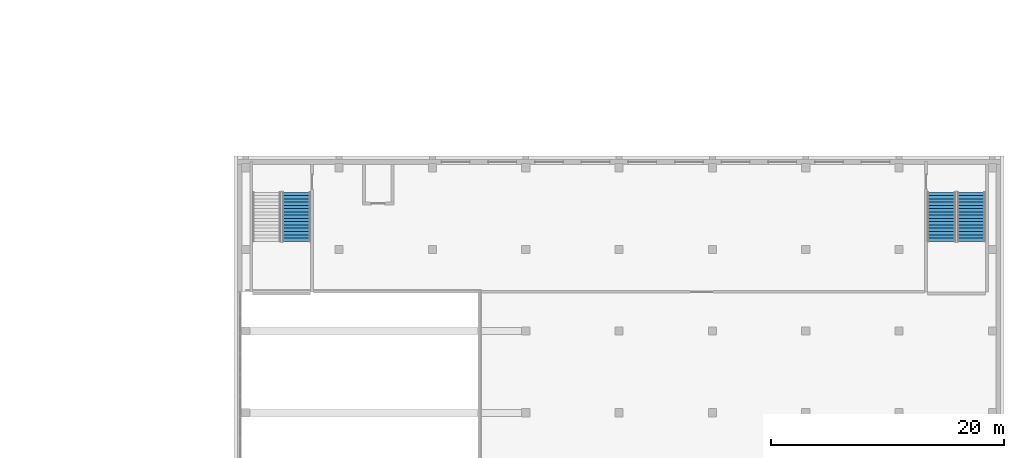
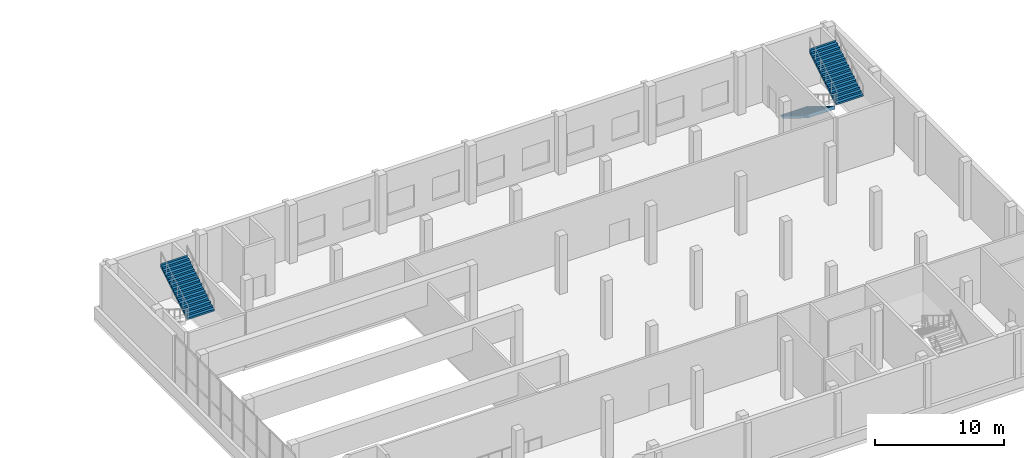
# One storey, part 23 of 35: 3 stair flights, 2 elements without a shape of their own.
"""IFC4 building model written with IfcOpenShell, lengths in metres."""

from ifc_helpers import new_model, si_unit, direction, frame, origin, place, context, subcontext, project, spatial, polyline, outline, extrude, material, type_object, element, aggregate, save


model = new_model("IFC4")

# Units and contexts
model_context = context("Model", 3, precision=1e-05, world=origin(), true_north=direction((0.0, 1.0)))
body_context = subcontext(model_context, "Body", "Model", "MODEL_VIEW")
ifc_project = project(units=[si_unit("LENGTHUNIT", "METRE"), si_unit("AREAUNIT", "SQUARE_METRE"), si_unit("VOLUMEUNIT", "CUBIC_METRE"), si_unit("PLANEANGLEUNIT", "RADIAN"), si_unit("MASSUNIT", "GRAM", prefix="KILO")], contexts=[model_context])

# Site, building, storey
site_placement = place(None, origin())
site = spatial("IfcSite", under=ifc_project, at=site_placement, CompositionType="ELEMENT")
building_placement = place(site_placement, origin())
building = spatial("IfcBuilding", under=site, at=building_placement, Name="Tamorin Gate", CompositionType="ELEMENT")
storey_placement = place(building_placement, frame((0.0, 0.0, 8.0)))
storey = spatial("IfcBuildingStorey", under=building, at=storey_placement, Name="L01", CompositionType="ELEMENT", Elevation=8.0)

# Stair, stair flight
ifc_material = material(Name="Concrete C40/50", Category="concrete")
stair_type = type_object("IfcStairType", Name="Museum exit stair 2400 C40/50", PredefinedType="HALF_TURN_STAIR", material=ifc_material)
stair_1_placement = place(storey_placement, origin())
stair_1 = element("IfcStair", 1, at=stair_1_placement, inside=storey, type_object=stair_type, Name="L01 PS6", PredefinedType="HALF_TURN_STAIR")
stair_flight_type = type_object("IfcStairFlightType", Name="Museum exit stair flight 2400 C40/50", PredefinedType="STRAIGHT", material=ifc_material)
stair_flight_1_placement = place(storey_placement, frame((150.050048828125, 91.39990234375, 2.75), z_axis=(0.0, 0.0, 1.0), x_axis=(0.0, 1.0, 0.0)))
stair_flight_1 = element("IfcStairFlight", 2, at=stair_flight_1_placement, type_object=stair_flight_type, Name="PS6 flight 2", NumberOfRisers=16, NumberOfTreads=15, PredefinedType="STRAIGHT", RiserHeight=0.171875, TreadLength=0.28, context=body_context, shape_type="SweptSolid", body=[
    extrude(outline(polyline([(-0.00048828125, 0.0), (-0.00048828125, 0.001708984375), (-0.00048828125, 0.00341796875), (-0.00048828125, 0.005126953125), (-0.00048828125, 0.0068359375), (-0.00048828125, 0.008544921875), (-0.00048828125, 0.01025390625), (-0.00048828125, 0.011962890625), (-0.00048828125, 0.013671875), (-0.00048828125, 0.015380859375), (-0.00048828125, 0.01708984375), (-0.00048828125, 0.018798828125), (-0.00048828125, 0.0205078125), (-0.00048828125, 0.022216796875), (-0.00048828125, 0.02392578125), (-0.00048828125, 0.025634765625), (-0.00048828125, 0.02734375), (-0.00048828125, 0.02880859375), (-0.00048828125, 0.030517578125), (-0.00048828125, 0.0322265625), (-0.00048828125, 0.033935546875), (-0.00048828125, 0.03564453125), (-0.00048828125, 0.037353515625), (-0.00048828125, 0.0390625), (-0.00048828125, 0.040771484375), (-0.00048828125, 0.04248046875), (-0.00048828125, 0.044189453125), (-0.00048828125, 0.0458984375), (-0.00048828125, 0.047607421875), (-0.00048828125, 0.04931640625), (-0.00048828125, 0.051025390625), (-0.00048828125, 0.052734375), (-0.00048828125, 0.054443359375), (-0.00048828125, 0.05615234375), (-0.00048828125, 0.057861328125), (-0.00048828125, 0.0595703125), (-0.00048828125, 0.061279296875), (-0.00048828125, 0.06298828125), (-0.00048828125, 0.064697265625), (-0.00048828125, 0.06640625), (-0.00048828125, 0.068115234375), (-0.00048828125, 0.06982421875), (-0.00048828125, 0.071533203125), (-0.00048828125, 0.0732421875), (-0.00048828125, 0.074951171875), (-0.00048828125, 0.07666015625), (-0.00048828125, 0.078369140625), (-0.00048828125, 0.080078125), (-0.00048828125, 0.081787109375), (-0.00048828125, 0.08349609375), (-0.00048828125, 0.085205078125), (-0.00048828125, 0.086669921875), (-0.00048828125, 0.08837890625), (-0.00048828125, 0.090087890625), (-0.00048828125, 0.091796875), (-0.00048828125, 0.093505859375), (-0.00048828125, 0.09521484375), (-0.00048828125, 0.096923828125), (-0.00048828125, 0.0986328125), (-0.00048828125, 0.100341796875), (-0.00048828125, 0.10205078125), (-0.00048828125, 0.103759765625), (-0.00048828125, 0.10546875), (-0.00048828125, 0.107177734375), (-0.00048828125, 0.10888671875), (-0.00048828125, 0.110595703125), (-0.00048828125, 0.1123046875), (-0.00048828125, 0.114013671875), (-0.00048828125, 0.11572265625), (-0.00048828125, 0.117431640625), (-0.00048828125, 0.119140625), (-0.00048828125, 0.120849609375), (-0.00048828125, 0.12255859375), (-0.00048828125, 0.124267578125), (-0.00048828125, 0.1259765625), (-0.00048828125, 0.127685546875), (-0.00048828125, 0.12939453125), (-0.00048828125, 0.131103515625), (-0.00048828125, 0.1328125), (-0.00048828125, 0.134521484375), (-0.00048828125, 0.13623046875), (-0.00048828125, 0.137939453125), (-0.00048828125, 0.1396484375), (-0.00048828125, 0.141357421875), (-0.00048828125, 0.14306640625), (-0.00048828125, 0.14453125), (-0.00048828125, 0.146240234375), (-0.00048828125, 0.14794921875), (-0.00048828125, 0.149658203125), (-0.00048828125, 0.1513671875), (-0.00048828125, 0.153076171875), (-0.00048828125, 0.15478515625), (-0.00048828125, 0.156494140625), (-0.00048828125, 0.158203125), (-0.00048828125, 0.159912109375), (-0.00048828125, 0.16162109375), (-0.00048828125, 0.163330078125), (-0.00048828125, 0.1650390625), (-0.00048828125, 0.166748046875), (-0.00048828125, 0.16845703125), (-0.00048828125, 0.170166015625), (-0.00048828125, 0.171875), (0.280029296875, 0.171875), (0.280029296875, 0.34375), (0.56005859375, 0.34375), (0.56005859375, 0.515625), (0.840087890625, 0.515625), (0.840087890625, 0.6875), (1.1201171875, 0.6875), (1.1201171875, 0.859375), (1.39990234375, 0.859375), (1.39990234375, 1.03125), (1.679931640625, 1.03125), (1.679931640625, 1.203125), (1.9599609375, 1.203125), (1.9599609375, 1.375), (2.239990234375, 1.375), (2.239990234375, 1.546875), (2.52001953125, 1.546875), (2.52001953125, 1.71875), (2.800048828125, 1.71875), (2.800048828125, 1.890625), (3.080078125, 1.890625), (3.080078125, 2.0625), (3.360107421875, 2.0625), (3.360107421875, 2.234375), (3.639892578125, 2.234375), (3.639892578125, 2.40625), (3.919921875, 2.40625), (3.919921875, 2.578125), (4.199951171875, 2.578125), (4.199951171875, 2.75), (4.200439453125, 2.75), (4.200439453125, 2.74658203125), (4.200439453125, 2.7431640625), (4.200439453125, 2.73974609375), (4.200439453125, 2.736328125), (4.200439453125, 2.732666015625), (4.200439453125, 2.729248046875), (4.200439453125, 2.725830078125), (4.200439453125, 2.722412109375), (4.200439453125, 2.718994140625), (4.200439453125, 2.715576171875), (4.200439453125, 2.712158203125), (4.200439453125, 2.708740234375), (4.200439453125, 2.705322265625), (4.200439453125, 2.701904296875), (4.200439453125, 2.6982421875), (4.200439453125, 2.69482421875), (4.200439453125, 2.69140625), (4.200439453125, 2.68798828125), (4.200439453125, 2.6845703125), (4.200439453125, 2.68115234375), (4.200439453125, 2.677734375), (4.200439453125, 2.67431640625), (4.200439453125, 2.6708984375), (4.200439453125, 2.66748046875), (4.200439453125, 2.663818359375), (4.200439453125, 2.660400390625), (4.200439453125, 2.656982421875), (4.200439453125, 2.653564453125), (4.200439453125, 2.650146484375), (4.200439453125, 2.646728515625), (4.200439453125, 2.643310546875), (4.200439453125, 2.639892578125), (4.200439453125, 2.636474609375), (4.200439453125, 2.6328125), (4.200439453125, 2.62939453125), (4.200439453125, 2.6259765625), (4.200439453125, 2.62255859375), (4.200439453125, 2.619140625), (4.200439453125, 2.61572265625), (4.200439453125, 2.6123046875), (4.200439453125, 2.60888671875), (4.200439453125, 2.60546875), (4.200439453125, 2.60205078125), (4.200439453125, 2.598388671875), (4.200439453125, 2.594970703125), (4.200439453125, 2.591552734375), (4.200439453125, 2.588134765625), (4.200439453125, 2.584716796875), (4.200439453125, 2.581298828125), (4.200439453125, 2.577880859375), (4.200439453125, 2.574462890625), (4.200439453125, 2.571044921875), (4.200439453125, 2.567626953125), (4.200439453125, 2.56396484375), (4.200439453125, 2.560546875), (4.200439453125, 2.55712890625), (4.200439453125, 2.5537109375), (4.200439453125, 2.55029296875), (4.200439453125, 2.546875), (4.200439453125, 2.54345703125), (4.200439453125, 2.5400390625), (4.200439453125, 2.53662109375), (4.200439453125, 2.532958984375), (4.200439453125, 2.529541015625), (4.200439453125, 2.526123046875), (4.200439453125, 2.522705078125), (4.200439453125, 2.519287109375), (4.200439453125, 2.515869140625), (4.200439453125, 2.512451171875), (4.200439453125, 2.509033203125), (4.200439453125, 2.505615234375), (4.200439453125, 2.502197265625), (4.200439453125, 2.49853515625), (4.200439453125, 2.4951171875), (4.200439453125, 2.49169921875), (4.200439453125, 2.48828125), (4.200439453125, 2.48486328125), (4.200439453125, 2.4814453125), (4.200439453125, 2.47802734375), (4.200439453125, 2.474609375), (4.200439453125, 2.47119140625), (4.200439453125, 2.4677734375), (4.200439453125, 2.464111328125), (4.200439453125, 2.460693359375), (4.200439453125, 2.457275390625), (4.200439453125, 2.453857421875), (4.200439453125, 2.450439453125), (4.200439453125, 2.447021484375), (4.200439453125, 2.443603515625), (4.200439453125, 2.440185546875), (4.200439453125, 2.436767578125), (4.200439453125, 2.43310546875), (4.200439453125, 2.4296875), (4.200439453125, 2.42626953125), (4.200439453125, 2.4228515625), (4.200439453125, 2.41943359375), (4.200439453125, 2.416015625), (4.200439453125, 2.41259765625), (4.200439453125, 2.4091796875), (4.200439453125, 2.40576171875), (4.200439453125, 2.40234375), (4.199951171875, 2.40234375), (0.28662109375, 0.0), (-0.00048828125, 0.0)])), frame((0.0, 1.199951171875, 0.0), z_axis=(0.0, -1.0, 0.0), x_axis=(1.0, 0.0, 0.0)), (0.0, 0.0, 1.0), 2.39990234375),
])
aggregate(stair_1, [stair_flight_1])

# Stair, stair flights
stair_2_placement = place(storey_placement, origin())
stair_2 = element("IfcStair", 3, at=stair_2_placement, inside=storey, type_object=stair_type, Name="L01 PS9", PredefinedType="HALF_TURN_STAIR")
stair_flight_2_placement = place(storey_placement, frame((205.35009765625, 95.60009765625, 0.0), z_axis=(0.0, 0.0, 1.0), x_axis=(0.0, -1.0, 0.0)))
stair_flight_2 = element("IfcStairFlight", 4, at=stair_flight_2_placement, type_object=stair_flight_type, Name="PS9 flight 1", NumberOfRisers=16, NumberOfTreads=15, PredefinedType="STRAIGHT", RiserHeight=0.171875, TreadLength=0.28, context=body_context, shape_type="SweptSolid", body=[
    extrude(outline(polyline([(-0.00048828125, 0.0), (-0.00048828125, 0.001708984375), (-0.00048828125, 0.00341796875), (-0.00048828125, 0.005126953125), (-0.00048828125, 0.0068359375), (-0.00048828125, 0.008544921875), (-0.00048828125, 0.01025390625), (-0.00048828125, 0.011962890625), (-0.00048828125, 0.013671875), (-0.00048828125, 0.015380859375), (-0.00048828125, 0.01708984375), (-0.00048828125, 0.018798828125), (-0.00048828125, 0.0205078125), (-0.00048828125, 0.022216796875), (-0.00048828125, 0.02392578125), (-0.00048828125, 0.025634765625), (-0.00048828125, 0.02734375), (-0.00048828125, 0.02880859375), (-0.00048828125, 0.030517578125), (-0.00048828125, 0.0322265625), (-0.00048828125, 0.033935546875), (-0.00048828125, 0.03564453125), (-0.00048828125, 0.037353515625), (-0.00048828125, 0.0390625), (-0.00048828125, 0.040771484375), (-0.00048828125, 0.04248046875), (-0.00048828125, 0.044189453125), (-0.00048828125, 0.0458984375), (-0.00048828125, 0.047607421875), (-0.00048828125, 0.04931640625), (-0.00048828125, 0.051025390625), (-0.00048828125, 0.052734375), (-0.00048828125, 0.054443359375), (-0.00048828125, 0.05615234375), (-0.00048828125, 0.057861328125), (-0.00048828125, 0.0595703125), (-0.00048828125, 0.061279296875), (-0.00048828125, 0.06298828125), (-0.00048828125, 0.064697265625), (-0.00048828125, 0.06640625), (-0.00048828125, 0.068115234375), (-0.00048828125, 0.06982421875), (-0.00048828125, 0.071533203125), (-0.00048828125, 0.0732421875), (-0.00048828125, 0.074951171875), (-0.00048828125, 0.07666015625), (-0.00048828125, 0.078369140625), (-0.00048828125, 0.080078125), (-0.00048828125, 0.081787109375), (-0.00048828125, 0.08349609375), (-0.00048828125, 0.085205078125), (-0.00048828125, 0.086669921875), (-0.00048828125, 0.08837890625), (-0.00048828125, 0.090087890625), (-0.00048828125, 0.091796875), (-0.00048828125, 0.093505859375), (-0.00048828125, 0.09521484375), (-0.00048828125, 0.096923828125), (-0.00048828125, 0.0986328125), (-0.00048828125, 0.100341796875), (-0.00048828125, 0.10205078125), (-0.00048828125, 0.103759765625), (-0.00048828125, 0.10546875), (-0.00048828125, 0.107177734375), (-0.00048828125, 0.10888671875), (-0.00048828125, 0.110595703125), (-0.00048828125, 0.1123046875), (-0.00048828125, 0.114013671875), (-0.00048828125, 0.11572265625), (-0.00048828125, 0.117431640625), (-0.00048828125, 0.119140625), (-0.00048828125, 0.120849609375), (-0.00048828125, 0.12255859375), (-0.00048828125, 0.124267578125), (-0.00048828125, 0.1259765625), (-0.00048828125, 0.127685546875), (-0.00048828125, 0.12939453125), (-0.00048828125, 0.131103515625), (-0.00048828125, 0.1328125), (-0.00048828125, 0.134521484375), (-0.00048828125, 0.13623046875), (-0.00048828125, 0.137939453125), (-0.00048828125, 0.1396484375), (-0.00048828125, 0.141357421875), (-0.00048828125, 0.14306640625), (-0.00048828125, 0.14453125), (-0.00048828125, 0.146240234375), (-0.00048828125, 0.14794921875), (-0.00048828125, 0.149658203125), (-0.00048828125, 0.1513671875), (-0.00048828125, 0.153076171875), (-0.00048828125, 0.15478515625), (-0.00048828125, 0.156494140625), (-0.00048828125, 0.158203125), (-0.00048828125, 0.159912109375), (-0.00048828125, 0.16162109375), (-0.00048828125, 0.163330078125), (-0.00048828125, 0.1650390625), (-0.00048828125, 0.166748046875), (-0.00048828125, 0.16845703125), (-0.00048828125, 0.170166015625), (-0.00048828125, 0.171875), (0.280029296875, 0.171875), (0.280029296875, 0.34375), (0.56005859375, 0.34375), (0.56005859375, 0.515625), (0.840087890625, 0.515625), (0.840087890625, 0.6875), (1.1201171875, 0.6875), (1.1201171875, 0.859375), (1.39990234375, 0.859375), (1.39990234375, 1.03125), (1.679931640625, 1.03125), (1.679931640625, 1.203125), (1.9599609375, 1.203125), (1.9599609375, 1.375), (2.239990234375, 1.375), (2.239990234375, 1.546875), (2.52001953125, 1.546875), (2.52001953125, 1.71875), (2.800048828125, 1.71875), (2.800048828125, 1.890625), (3.080078125, 1.890625), (3.080078125, 2.0625), (3.360107421875, 2.0625), (3.360107421875, 2.234375), (3.639892578125, 2.234375), (3.639892578125, 2.40625), (3.919921875, 2.40625), (3.919921875, 2.578125), (4.199951171875, 2.578125), (4.199951171875, 2.75), (4.200439453125, 2.75), (4.200439453125, 2.74658203125), (4.200439453125, 2.7431640625), (4.200439453125, 2.73974609375), (4.200439453125, 2.736328125), (4.200439453125, 2.732666015625), (4.200439453125, 2.729248046875), (4.200439453125, 2.725830078125), (4.200439453125, 2.722412109375), (4.200439453125, 2.718994140625), (4.200439453125, 2.715576171875), (4.200439453125, 2.712158203125), (4.200439453125, 2.708740234375), (4.200439453125, 2.705322265625), (4.200439453125, 2.701904296875), (4.200439453125, 2.6982421875), (4.200439453125, 2.69482421875), (4.200439453125, 2.69140625), (4.200439453125, 2.68798828125), (4.200439453125, 2.6845703125), (4.200439453125, 2.68115234375), (4.200439453125, 2.677734375), (4.200439453125, 2.67431640625), (4.200439453125, 2.6708984375), (4.200439453125, 2.66748046875), (4.200439453125, 2.663818359375), (4.200439453125, 2.660400390625), (4.200439453125, 2.656982421875), (4.200439453125, 2.653564453125), (4.200439453125, 2.650146484375), (4.200439453125, 2.646728515625), (4.200439453125, 2.643310546875), (4.200439453125, 2.639892578125), (4.200439453125, 2.636474609375), (4.200439453125, 2.6328125), (4.200439453125, 2.62939453125), (4.200439453125, 2.6259765625), (4.200439453125, 2.62255859375), (4.200439453125, 2.619140625), (4.200439453125, 2.61572265625), (4.200439453125, 2.6123046875), (4.200439453125, 2.60888671875), (4.200439453125, 2.60546875), (4.200439453125, 2.60205078125), (4.200439453125, 2.598388671875), (4.200439453125, 2.594970703125), (4.200439453125, 2.591552734375), (4.200439453125, 2.588134765625), (4.200439453125, 2.584716796875), (4.200439453125, 2.581298828125), (4.200439453125, 2.577880859375), (4.200439453125, 2.574462890625), (4.200439453125, 2.571044921875), (4.200439453125, 2.567626953125), (4.200439453125, 2.56396484375), (4.200439453125, 2.560546875), (4.200439453125, 2.55712890625), (4.200439453125, 2.5537109375), (4.200439453125, 2.55029296875), (4.200439453125, 2.546875), (4.200439453125, 2.54345703125), (4.200439453125, 2.5400390625), (4.200439453125, 2.53662109375), (4.200439453125, 2.532958984375), (4.200439453125, 2.529541015625), (4.200439453125, 2.526123046875), (4.200439453125, 2.522705078125), (4.200439453125, 2.519287109375), (4.200439453125, 2.515869140625), (4.200439453125, 2.512451171875), (4.200439453125, 2.509033203125), (4.200439453125, 2.505615234375), (4.200439453125, 2.502197265625), (4.200439453125, 2.49853515625), (4.200439453125, 2.4951171875), (4.200439453125, 2.49169921875), (4.200439453125, 2.48828125), (4.200439453125, 2.48486328125), (4.200439453125, 2.4814453125), (4.200439453125, 2.47802734375), (4.200439453125, 2.474609375), (4.200439453125, 2.47119140625), (4.200439453125, 2.4677734375), (4.200439453125, 2.464111328125), (4.200439453125, 2.460693359375), (4.200439453125, 2.457275390625), (4.200439453125, 2.453857421875), (4.200439453125, 2.450439453125), (4.200439453125, 2.447021484375), (4.200439453125, 2.443603515625), (4.200439453125, 2.440185546875), (4.200439453125, 2.436767578125), (4.200439453125, 2.43310546875), (4.200439453125, 2.4296875), (4.200439453125, 2.42626953125), (4.200439453125, 2.4228515625), (4.200439453125, 2.41943359375), (4.200439453125, 2.416015625), (4.200439453125, 2.41259765625), (4.200439453125, 2.4091796875), (4.200439453125, 2.40576171875), (4.200439453125, 2.40234375), (4.199951171875, 2.40234375), (0.28662109375, 0.0), (-0.00048828125, 0.0)])), frame((0.0, 1.199951171875, 0.0), z_axis=(0.0, -1.0, 0.0), x_axis=(1.0, 0.0, 0.0)), (0.0, 0.0, 1.0), 2.39990234375),
])
stair_flight_3_placement = place(storey_placement, frame((207.89990234375, 91.39990234375, 2.75), z_axis=(0.0, 0.0, 1.0), x_axis=(0.0, 1.0, 0.0)))
stair_flight_3 = element("IfcStairFlight", 5, at=stair_flight_3_placement, type_object=stair_flight_type, Name="PS9 flight 2", NumberOfRisers=16, NumberOfTreads=15, PredefinedType="STRAIGHT", RiserHeight=0.171875, TreadLength=0.28, context=body_context, shape_type="SweptSolid", body=[
    extrude(outline(polyline([(-0.00048828125, 0.0), (-0.00048828125, 0.001708984375), (-0.00048828125, 0.00341796875), (-0.00048828125, 0.005126953125), (-0.00048828125, 0.0068359375), (-0.00048828125, 0.008544921875), (-0.00048828125, 0.01025390625), (-0.00048828125, 0.011962890625), (-0.00048828125, 0.013671875), (-0.00048828125, 0.015380859375), (-0.00048828125, 0.01708984375), (-0.00048828125, 0.018798828125), (-0.00048828125, 0.0205078125), (-0.00048828125, 0.022216796875), (-0.00048828125, 0.02392578125), (-0.00048828125, 0.025634765625), (-0.00048828125, 0.02734375), (-0.00048828125, 0.02880859375), (-0.00048828125, 0.030517578125), (-0.00048828125, 0.0322265625), (-0.00048828125, 0.033935546875), (-0.00048828125, 0.03564453125), (-0.00048828125, 0.037353515625), (-0.00048828125, 0.0390625), (-0.00048828125, 0.040771484375), (-0.00048828125, 0.04248046875), (-0.00048828125, 0.044189453125), (-0.00048828125, 0.0458984375), (-0.00048828125, 0.047607421875), (-0.00048828125, 0.04931640625), (-0.00048828125, 0.051025390625), (-0.00048828125, 0.052734375), (-0.00048828125, 0.054443359375), (-0.00048828125, 0.05615234375), (-0.00048828125, 0.057861328125), (-0.00048828125, 0.0595703125), (-0.00048828125, 0.061279296875), (-0.00048828125, 0.06298828125), (-0.00048828125, 0.064697265625), (-0.00048828125, 0.06640625), (-0.00048828125, 0.068115234375), (-0.00048828125, 0.06982421875), (-0.00048828125, 0.071533203125), (-0.00048828125, 0.0732421875), (-0.00048828125, 0.074951171875), (-0.00048828125, 0.07666015625), (-0.00048828125, 0.078369140625), (-0.00048828125, 0.080078125), (-0.00048828125, 0.081787109375), (-0.00048828125, 0.08349609375), (-0.00048828125, 0.085205078125), (-0.00048828125, 0.086669921875), (-0.00048828125, 0.08837890625), (-0.00048828125, 0.090087890625), (-0.00048828125, 0.091796875), (-0.00048828125, 0.093505859375), (-0.00048828125, 0.09521484375), (-0.00048828125, 0.096923828125), (-0.00048828125, 0.0986328125), (-0.00048828125, 0.100341796875), (-0.00048828125, 0.10205078125), (-0.00048828125, 0.103759765625), (-0.00048828125, 0.10546875), (-0.00048828125, 0.107177734375), (-0.00048828125, 0.10888671875), (-0.00048828125, 0.110595703125), (-0.00048828125, 0.1123046875), (-0.00048828125, 0.114013671875), (-0.00048828125, 0.11572265625), (-0.00048828125, 0.117431640625), (-0.00048828125, 0.119140625), (-0.00048828125, 0.120849609375), (-0.00048828125, 0.12255859375), (-0.00048828125, 0.124267578125), (-0.00048828125, 0.1259765625), (-0.00048828125, 0.127685546875), (-0.00048828125, 0.12939453125), (-0.00048828125, 0.131103515625), (-0.00048828125, 0.1328125), (-0.00048828125, 0.134521484375), (-0.00048828125, 0.13623046875), (-0.00048828125, 0.137939453125), (-0.00048828125, 0.1396484375), (-0.00048828125, 0.141357421875), (-0.00048828125, 0.14306640625), (-0.00048828125, 0.14453125), (-0.00048828125, 0.146240234375), (-0.00048828125, 0.14794921875), (-0.00048828125, 0.149658203125), (-0.00048828125, 0.1513671875), (-0.00048828125, 0.153076171875), (-0.00048828125, 0.15478515625), (-0.00048828125, 0.156494140625), (-0.00048828125, 0.158203125), (-0.00048828125, 0.159912109375), (-0.00048828125, 0.16162109375), (-0.00048828125, 0.163330078125), (-0.00048828125, 0.1650390625), (-0.00048828125, 0.166748046875), (-0.00048828125, 0.16845703125), (-0.00048828125, 0.170166015625), (-0.00048828125, 0.171875), (0.280029296875, 0.171875), (0.280029296875, 0.34375), (0.56005859375, 0.34375), (0.56005859375, 0.515625), (0.840087890625, 0.515625), (0.840087890625, 0.6875), (1.1201171875, 0.6875), (1.1201171875, 0.859375), (1.39990234375, 0.859375), (1.39990234375, 1.03125), (1.679931640625, 1.03125), (1.679931640625, 1.203125), (1.9599609375, 1.203125), (1.9599609375, 1.375), (2.239990234375, 1.375), (2.239990234375, 1.546875), (2.52001953125, 1.546875), (2.52001953125, 1.71875), (2.800048828125, 1.71875), (2.800048828125, 1.890625), (3.080078125, 1.890625), (3.080078125, 2.0625), (3.360107421875, 2.0625), (3.360107421875, 2.234375), (3.639892578125, 2.234375), (3.639892578125, 2.40625), (3.919921875, 2.40625), (3.919921875, 2.578125), (4.199951171875, 2.578125), (4.199951171875, 2.75), (4.200439453125, 2.75), (4.200439453125, 2.74658203125), (4.200439453125, 2.7431640625), (4.200439453125, 2.73974609375), (4.200439453125, 2.736328125), (4.200439453125, 2.732666015625), (4.200439453125, 2.729248046875), (4.200439453125, 2.725830078125), (4.200439453125, 2.722412109375), (4.200439453125, 2.718994140625), (4.200439453125, 2.715576171875), (4.200439453125, 2.712158203125), (4.200439453125, 2.708740234375), (4.200439453125, 2.705322265625), (4.200439453125, 2.701904296875), (4.200439453125, 2.6982421875), (4.200439453125, 2.69482421875), (4.200439453125, 2.69140625), (4.200439453125, 2.68798828125), (4.200439453125, 2.6845703125), (4.200439453125, 2.68115234375), (4.200439453125, 2.677734375), (4.200439453125, 2.67431640625), (4.200439453125, 2.6708984375), (4.200439453125, 2.66748046875), (4.200439453125, 2.663818359375), (4.200439453125, 2.660400390625), (4.200439453125, 2.656982421875), (4.200439453125, 2.653564453125), (4.200439453125, 2.650146484375), (4.200439453125, 2.646728515625), (4.200439453125, 2.643310546875), (4.200439453125, 2.639892578125), (4.200439453125, 2.636474609375), (4.200439453125, 2.6328125), (4.200439453125, 2.62939453125), (4.200439453125, 2.6259765625), (4.200439453125, 2.62255859375), (4.200439453125, 2.619140625), (4.200439453125, 2.61572265625), (4.200439453125, 2.6123046875), (4.200439453125, 2.60888671875), (4.200439453125, 2.60546875), (4.200439453125, 2.60205078125), (4.200439453125, 2.598388671875), (4.200439453125, 2.594970703125), (4.200439453125, 2.591552734375), (4.200439453125, 2.588134765625), (4.200439453125, 2.584716796875), (4.200439453125, 2.581298828125), (4.200439453125, 2.577880859375), (4.200439453125, 2.574462890625), (4.200439453125, 2.571044921875), (4.200439453125, 2.567626953125), (4.200439453125, 2.56396484375), (4.200439453125, 2.560546875), (4.200439453125, 2.55712890625), (4.200439453125, 2.5537109375), (4.200439453125, 2.55029296875), (4.200439453125, 2.546875), (4.200439453125, 2.54345703125), (4.200439453125, 2.5400390625), (4.200439453125, 2.53662109375), (4.200439453125, 2.532958984375), (4.200439453125, 2.529541015625), (4.200439453125, 2.526123046875), (4.200439453125, 2.522705078125), (4.200439453125, 2.519287109375), (4.200439453125, 2.515869140625), (4.200439453125, 2.512451171875), (4.200439453125, 2.509033203125), (4.200439453125, 2.505615234375), (4.200439453125, 2.502197265625), (4.200439453125, 2.49853515625), (4.200439453125, 2.4951171875), (4.200439453125, 2.49169921875), (4.200439453125, 2.48828125), (4.200439453125, 2.48486328125), (4.200439453125, 2.4814453125), (4.200439453125, 2.47802734375), (4.200439453125, 2.474609375), (4.200439453125, 2.47119140625), (4.200439453125, 2.4677734375), (4.200439453125, 2.464111328125), (4.200439453125, 2.460693359375), (4.200439453125, 2.457275390625), (4.200439453125, 2.453857421875), (4.200439453125, 2.450439453125), (4.200439453125, 2.447021484375), (4.200439453125, 2.443603515625), (4.200439453125, 2.440185546875), (4.200439453125, 2.436767578125), (4.200439453125, 2.43310546875), (4.200439453125, 2.4296875), (4.200439453125, 2.42626953125), (4.200439453125, 2.4228515625), (4.200439453125, 2.41943359375), (4.200439453125, 2.416015625), (4.200439453125, 2.41259765625), (4.200439453125, 2.4091796875), (4.200439453125, 2.40576171875), (4.200439453125, 2.40234375), (4.199951171875, 2.40234375), (0.28662109375, 0.0), (-0.00048828125, 0.0)])), frame((0.0, 1.199951171875, 0.0), z_axis=(0.0, -1.0, 0.0), x_axis=(1.0, 0.0, 0.0)), (0.0, 0.0, 1.0), 2.39990234375),
])
aggregate(stair_2, [stair_flight_2, stair_flight_3])

save(model, "model.ifc")
